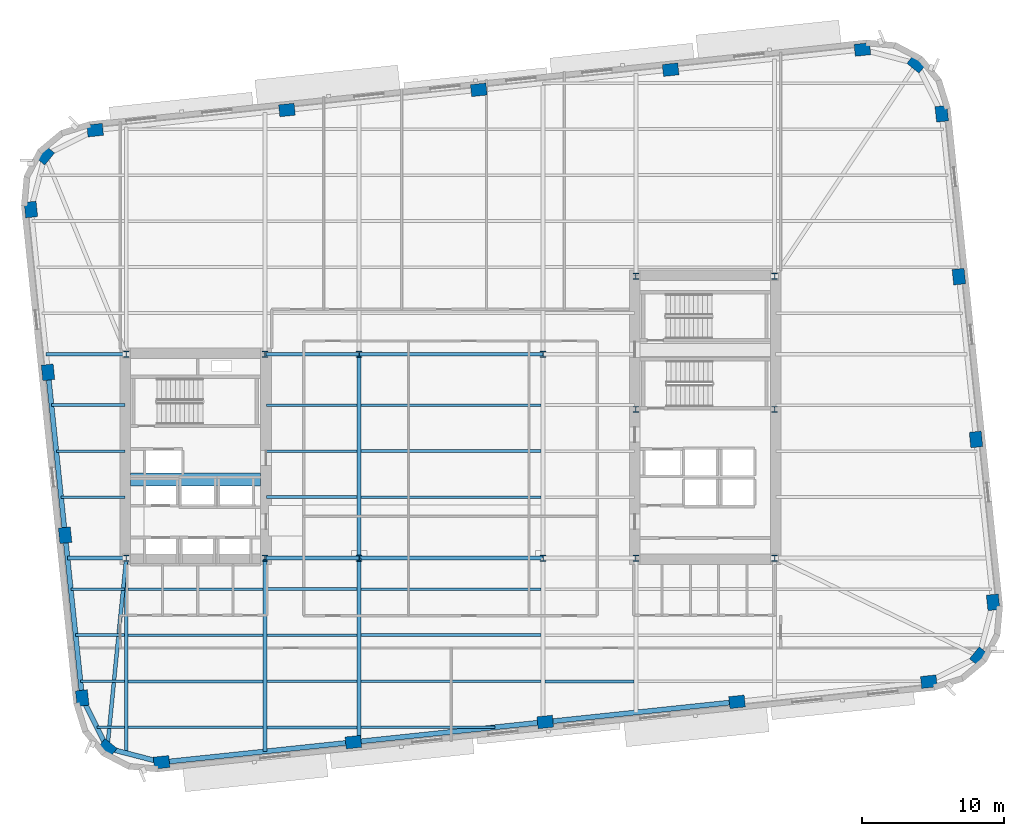
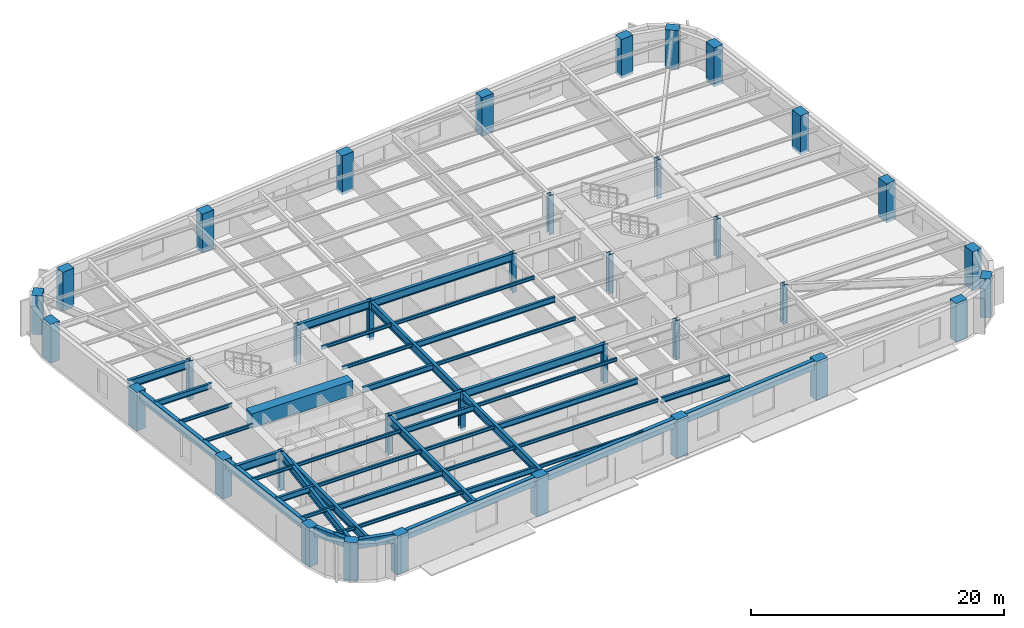
# One storey, part 1 of 15: 45 beams, 36 columns.
"""IFC4 building model written with IfcOpenShell, lengths in metres."""

from ifc_helpers import new_model, si_unit, direction, frame, origin, origin_2d, place, context, subcontext, project, spatial, rectangle, hollow_rectangle, i_section, extrude, material, material_profile, profile_set, type_object, element, save


model = new_model("IFC4")

# Units and contexts
model_context = context("Model", 3, precision=1e-05, world=origin(), true_north=direction((0.0, 1.0)))
body_context = subcontext(model_context, "Body", "Model", "MODEL_VIEW")
ifc_project = project(units=[si_unit("LENGTHUNIT", "METRE"), si_unit("AREAUNIT", "SQUARE_METRE"), si_unit("VOLUMEUNIT", "CUBIC_METRE"), si_unit("PLANEANGLEUNIT", "RADIAN"), si_unit("MASSUNIT", "GRAM", prefix="KILO")], contexts=[model_context])

# Site, building, storey
site_placement = place(None, origin())
site = spatial("IfcSite", under=ifc_project, at=site_placement, CompositionType="ELEMENT")
building_placement = place(site_placement, origin())
building = spatial("IfcBuilding", under=site, at=building_placement, Name="Kolvaren Arena Tower", CompositionType="ELEMENT")
storey_placement = place(building_placement, frame((0.0, 0.0, 142.0)))
storey = spatial("IfcBuildingStorey", under=building, at=storey_placement, Name="L33", CompositionType="ELEMENT", Elevation=142.0)

# Columns
ifc_material_1 = material(Name="Precast concrete C70/85", Category="concrete")
ifc_material_profile_1 = material_profile(ifc_material_1, rectangle(XDim=1.10009765625, YDim=0.85009765625, at=origin_2d()), Name="RC-1100x850")
ifc_profile_set_1 = profile_set([ifc_material_profile_1], Name="Precast concrete C70/85")
column_type_1 = type_object("IfcColumnType", Name="EXCOL-Z2", PredefinedType="COLUMN", material=ifc_profile_set_1)
for number, where, z_axis, x_axis, name in (
    (1, (17.0458984375, 5.024658203125, -0.27001953125), (0.0, 0.0, 1.0), (0.994521895368, 0.104528463268, 0.0), "Exoskeleton Perimeter Column 01 (L33)"),
    (2, (30.59619140625, 6.44873046875, -0.27001953125), (0.0, 0.0, 1.0), (0.994521895368, 0.104528463268, 0.0), "Exoskeleton Perimeter Column 02 (L33)"),
    (3, (44.146728515625, 7.873046875, -0.27001953125), (0.0, 0.0, 1.0), (0.994521895368, 0.104528463268, 0.0), "Exoskeleton Perimeter Column 03 (L33)"),
    (4, (57.697021484375, 9.297119140625, -0.27001953125), (0.0, 0.0, 1.0), (0.994521895368, 0.104528463268, 0.0), "Exoskeleton Perimeter Column 04 (L33)"),
    (5, (71.247314453125, 10.721435546875, -0.27001953125), (0.0, 0.0, 1.0), (0.994521895368, 0.104528463268, 0.0), "Exoskeleton Perimeter Column 05 (L33)"),
    (6, (74.790283203125, 12.49267578125, -0.27001953125), (0.0, 0.0, 1.0), (0.62932039105, 0.777145961457, 0.0), "Exoskeleton Perimeter Column 06 (L33)"),
    (7, (75.786376953125, 16.326416015625, -0.27001953125), (0.0, 0.0, 1.0), (-0.104528463268, 0.994521895368, 0.0), "Exoskeleton Perimeter Column 07 (L33)"),
    (8, (74.577392578125, 27.829833984375, -0.27001953125), (0.0, 0.0, 1.0), (-0.104528463268, 0.994521895368, 0.0), "Exoskeleton Perimeter Column 08 (L33)"),
    (9, (73.368408203125, 39.3330078125, -0.27001953125), (0.0, 0.0, 1.0), (-0.104528463268, 0.994521895368, 0.0), "Exoskeleton Perimeter Column 09 (L33)"),
    (10, (72.1591796875, 50.83642578125, -0.27001953125), (0.0, 0.0, 1.0), (-0.104528463268, 0.994521895368, 0.0), "Exoskeleton Perimeter Column 10 (L33)"),
    (11, (70.387939453125, 54.37939453125, -0.27001953125), (0.0, 0.0, 1.0), (-0.777145961457, 0.62932039105, 0.0), "Exoskeleton Perimeter Column 11 (L33)"),
    (12, (66.55419921875, 55.37548828125, -0.27001953125), (0.0, 0.0, 1.0), (0.994521895368, 0.104528463268, 0.0), "Exoskeleton Perimeter Column 12 (L33)"),
    (13, (53.003662109375, 53.951171875, -0.27001953125), (0.0, 0.0, 1.0), (0.994521895368, 0.104528463268, 0.0), "Exoskeleton Perimeter Column 13 (L33)"),
    (14, (39.453369140625, 52.527099609375, -0.27001953125), (0.0, 0.0, 1.0), (0.994521895368, 0.104528463268, 0.0), "Exoskeleton Perimeter Column 14 (L33)"),
    (15, (25.903076171875, 51.102783203125, -0.27001953125), (0.0, 0.0, 1.0), (0.994521895368, 0.104528463268, 0.0), "Exoskeleton Perimeter Column 15 (L33)"),
    (16, (12.3525390625, 49.6787109375, -0.27001953125), (0.0, 0.0, 1.0), (0.994521895368, 0.104528463268, 0.0), "Exoskeleton Perimeter Column 16 (L33)"),
    (17, (8.8095703125, 47.9072265625, -0.27001953125), (0.0, 0.0, 1.0), (0.62932039105, 0.777145961457, 0.0), "Exoskeleton Perimeter Column 17 (L33)"),
    (18, (7.813720703125, 44.073486328125, -0.27001953125), (0.0, 0.0, 1.0), (-0.104528463268, 0.994521895368, 0.0), "Exoskeleton Perimeter Column 18 (L33)"),
    (19, (9.022705078125, 32.5703125, -0.27001953125), (0.0, 0.0, 1.0), (-0.104528463268, 0.994521895368, 0.0), "Exoskeleton Perimeter Column 19 (L33)"),
    (20, (10.231689453125, 21.06689453125, -0.27001953125), (0.0, 0.0, 1.0), (-0.104528463268, 0.994521895368, 0.0), "Exoskeleton Perimeter Column 20 (L33)"),
    (21, (11.44091796875, 9.5634765625, -0.27001953125), (0.0, 0.0, 1.0), (-0.104528463268, 0.994521895368, 0.0), "Exoskeleton Perimeter Column 21 (L33)"),
    (22, (13.212158203125, 6.0205078125, -0.27001953125), (0.0, 0.0, 1.0), (-0.777145961457, 0.62932039105, 0.0), "Exoskeleton Perimeter Column 22 (L33)"),
):
    element("IfcColumn", number, at=place(storey_placement, frame(where, z_axis=z_axis, x_axis=x_axis)), inside=storey, type_object=column_type_1, Name=name, PredefinedType="COLUMN", context=body_context, shape_type="SweptSolid", body=[
        extrude(rectangle(XDim=1.10009765625, YDim=0.85009765625, at=origin_2d()), origin(), (0.0, 0.0, 1.0), 3.75),
    ])
ifc_material_2 = material(Name="Steel ASTM A913 Grade 65", Category="steel")
ifc_material_profile_2 = material_profile(ifc_material_2, i_section(OverallWidth=0.416015625, OverallDepth=0.446044921875, WebThickness=0.0390625, FlangeThickness=0.062744140625, FilletRadius=0.02001953125, at=origin_2d()), Name="W360x509")
ifc_profile_set_2 = profile_set([ifc_material_profile_2], Name="Steel ASTM A913 Grade 65")
column_type_2 = type_object("IfcColumnType", Name="SCOL-Z2", PredefinedType="COLUMN", material=ifc_profile_set_2)
for number, where, z_axis, x_axis, name in (
    (23, (14.550048828125, 19.449951171875, -0.27001953125), (0.0, 0.0, 1.0), (1.0, 0.0, 0.0), "Core Boundary Column WC-SW (L33)"),
    (24, (24.35009765625, 19.449951171875, -0.27001953125), (0.0, 0.0, 1.0), (1.0, 0.0, 0.0), "Core Boundary Column WC-SE (L33)"),
    (25, (14.550048828125, 33.85009765625, -0.27001953125), (0.0, 0.0, 1.0), (1.0, 0.0, 0.0), "Core Boundary Column WC-NW (L33)"),
    (26, (24.35009765625, 33.85009765625, -0.27001953125), (0.0, 0.0, 1.0), (1.0, 0.0, 0.0), "Core Boundary Column WC-NE (L33)"),
    (27, (50.550048828125, 19.449951171875, -0.27001953125), (0.0, 0.0, 1.0), (1.0, 0.0, 0.0), "Core Boundary Column EC-SW (L33)"),
    (28, (60.35009765625, 19.449951171875, -0.27001953125), (0.0, 0.0, 1.0), (1.0, 0.0, 0.0), "Core Boundary Column EC-SE (L33)"),
    (29, (50.550048828125, 29.949951171875, -0.27001953125), (0.0, 0.0, 1.0), (1.0, 0.0, 0.0), "Core Boundary Column EC-MW (L33)"),
    (30, (60.35009765625, 29.949951171875, -0.27001953125), (0.0, 0.0, 1.0), (1.0, 0.0, 0.0), "Core Boundary Column EC-ME (L33)"),
    (31, (50.550048828125, 39.35009765625, -0.27001953125), (0.0, 0.0, 1.0), (1.0, 0.0, 0.0), "Core Boundary Column EC-NW (L33)"),
    (32, (60.35009765625, 39.35009765625, -0.27001953125), (0.0, 0.0, 1.0), (1.0, 0.0, 0.0), "Core Boundary Column EC-NE (L33)"),
    (33, (31.0, 19.449951171875, -0.27001953125), (0.0, 0.0, 1.0), (1.0, 0.0, 0.0), "Interior Gravity Column TC-SW (L33)"),
    (34, (44.0, 19.449951171875, -0.27001953125), (0.0, 0.0, 1.0), (1.0, 0.0, 0.0), "Interior Gravity Column TC-SE (L33)"),
    (35, (31.0, 33.85009765625, -0.27001953125), (0.0, 0.0, 1.0), (1.0, 0.0, 0.0), "Interior Gravity Column TC-NW (L33)"),
    (36, (44.0, 33.85009765625, -0.27001953125), (0.0, 0.0, 1.0), (1.0, 0.0, 0.0), "Interior Gravity Column TC-NE (L33)"),
):
    element("IfcColumn", number, at=place(storey_placement, frame(where, z_axis=z_axis, x_axis=x_axis)), inside=storey, type_object=column_type_2, Name=name, PredefinedType="COLUMN", context=body_context, shape_type="SweptSolid", body=[
        extrude(i_section(OverallWidth=0.416015625, OverallDepth=0.446044921875, WebThickness=0.0390625, FlangeThickness=0.062744140625, FilletRadius=0.02001953125, at=origin_2d()), origin(), (0.0, 0.0, 1.0), 3.75),
    ])

# Beams
ifc_material_3 = material(Name="Steel CSA G40.21 350W", Category="steel")
ifc_material_profile_3 = material_profile(ifc_material_3, i_section(OverallWidth=0.2119140625, OverallDepth=0.54296875, WebThickness=0.01318359375, FlangeThickness=0.0244140625, FilletRadius=0.013916015625, at=origin_2d()), Name="W530x150")
ifc_profile_set_3 = profile_set([ifc_material_profile_3], Name="Steel CSA G40.21 350W")
beam_type_1 = type_object("IfcBeamType", Name="BEAM-F1", PredefinedType="BEAM", material=ifc_profile_set_3)
beam_1_placement = place(storey_placement, frame((24.485107421875, 7.5, 3.20849609375), z_axis=(1.0, 0.0, 0.0), x_axis=(0.0, 1.0, 0.0)))
element("IfcBeam", 37, at=beam_1_placement, inside=storey, type_object=beam_type_1, Name="Composite Floor Beam (L33)", PredefinedType="BEAM", context=body_context, shape_type="SweptSolid", body=[
    extrude(i_section(OverallWidth=0.2119140625, OverallDepth=0.54296875, WebThickness=0.01318359375, FlangeThickness=0.0244140625, FilletRadius=0.013916015625, at=origin_2d()), origin(), (0.0, 0.0, 1.0), 6.3798828125),
])
beam_2_placement = place(storey_placement, frame((14.68505859375, 10.75, 3.20849609375), z_axis=(1.0, 0.0, 0.0), x_axis=(0.0, 1.0, 0.0)))
element("IfcBeam", 38, at=beam_2_placement, inside=storey, type_object=beam_type_1, Name="Composite Floor Beam (L33)", PredefinedType="BEAM", context=body_context, shape_type="SweptSolid", body=[
    extrude(i_section(OverallWidth=0.2119140625, OverallDepth=0.54296875, WebThickness=0.01318359375, FlangeThickness=0.0244140625, FilletRadius=0.013916015625, at=origin_2d()), origin(), (0.0, 0.0, 1.0), 9.530029296875),
])
beam_3_placement = place(storey_placement, frame((44.135009765625, 10.75, 3.20849609375), z_axis=(1.0, 0.0, 0.0), x_axis=(0.0, 1.0, 0.0)))
element("IfcBeam", 39, at=beam_3_placement, inside=storey, type_object=beam_type_1, Name="Composite Floor Beam (L33)", PredefinedType="BEAM", context=body_context, shape_type="SweptSolid", body=[
    extrude(i_section(OverallWidth=0.2119140625, OverallDepth=0.54296875, WebThickness=0.01318359375, FlangeThickness=0.0244140625, FilletRadius=0.013916015625, at=origin_2d()), origin(), (0.0, 0.0, 1.0), 6.280029296875),
])
beam_4_placement = place(storey_placement, frame((10.974609375, 14.0, 3.20849609375), z_axis=(1.0, 0.0, 0.0), x_axis=(0.0, 1.0, 0.0)))
element("IfcBeam", 40, at=beam_4_placement, inside=storey, type_object=beam_type_1, Name="Composite Floor Beam (L33)", PredefinedType="BEAM", context=body_context, shape_type="SweptSolid", body=[
    extrude(i_section(OverallWidth=0.2119140625, OverallDepth=0.54296875, WebThickness=0.01318359375, FlangeThickness=0.0244140625, FilletRadius=0.013916015625, at=origin_2d()), origin(), (0.0, 0.0, 1.0), 3.4404296875),
])
beam_5_placement = place(storey_placement, frame((31.135009765625, 14.0, 3.20849609375), z_axis=(1.0, 0.0, 0.0), x_axis=(0.0, 1.0, 0.0)))
element("IfcBeam", 41, at=beam_5_placement, inside=storey, type_object=beam_type_1, Name="Composite Floor Beam (L33)", PredefinedType="BEAM", context=body_context, shape_type="SweptSolid", body=[
    extrude(i_section(OverallWidth=0.2119140625, OverallDepth=0.54296875, WebThickness=0.01318359375, FlangeThickness=0.0244140625, FilletRadius=0.013916015625, at=origin_2d()), origin(), (0.0, 0.0, 1.0), 12.72998046875),
])
beam_6_placement = place(storey_placement, frame((24.485107421875, 17.25, 3.20849609375), z_axis=(1.0, 0.0, 0.0), x_axis=(0.0, 1.0, 0.0)))
element("IfcBeam", 42, at=beam_6_placement, inside=storey, type_object=beam_type_1, Name="Composite Floor Beam (L33)", PredefinedType="BEAM", context=body_context, shape_type="SweptSolid", body=[
    extrude(i_section(OverallWidth=0.2119140625, OverallDepth=0.54296875, WebThickness=0.01318359375, FlangeThickness=0.0244140625, FilletRadius=0.013916015625, at=origin_2d()), origin(), (0.0, 0.0, 1.0), 6.3798828125),
])
beam_7_placement = place(storey_placement, frame((24.445068359375, 23.75, 3.20849609375), z_axis=(1.0, 0.0, 0.0), x_axis=(0.0, 1.0, 0.0)))
element("IfcBeam", 43, at=beam_7_placement, inside=storey, type_object=beam_type_1, Name="Composite Floor Beam (L33)", PredefinedType="BEAM", context=body_context, shape_type="SweptSolid", body=[
    extrude(i_section(OverallWidth=0.2119140625, OverallDepth=0.54296875, WebThickness=0.01318359375, FlangeThickness=0.0244140625, FilletRadius=0.013916015625, at=origin_2d()), origin(), (0.0, 0.0, 1.0), 6.419921875),
])
beam_8_placement = place(storey_placement, frame((31.135009765625, 27.0, 3.20849609375), z_axis=(1.0, 0.0, 0.0), x_axis=(0.0, 1.0, 0.0)))
element("IfcBeam", 44, at=beam_8_placement, inside=storey, type_object=beam_type_1, Name="Composite Floor Beam (L33)", PredefinedType="BEAM", context=body_context, shape_type="SweptSolid", body=[
    extrude(i_section(OverallWidth=0.2119140625, OverallDepth=0.54296875, WebThickness=0.01318359375, FlangeThickness=0.0244140625, FilletRadius=0.013916015625, at=origin_2d()), origin(), (0.0, 0.0, 1.0), 12.72998046875),
])
beam_9_placement = place(storey_placement, frame((9.2666015625, 30.25, 3.20849609375), z_axis=(1.0, 0.0, 0.0), x_axis=(0.0, 1.0, 0.0)))
element("IfcBeam", 45, at=beam_9_placement, inside=storey, type_object=beam_type_1, Name="Composite Floor Beam (L33)", PredefinedType="BEAM", context=body_context, shape_type="SweptSolid", body=[
    extrude(i_section(OverallWidth=0.2119140625, OverallDepth=0.54296875, WebThickness=0.01318359375, FlangeThickness=0.0244140625, FilletRadius=0.013916015625, at=origin_2d()), origin(), (0.0, 0.0, 1.0), 5.1884765625),
])
ifc_material_4 = material(Name="Concrete 75 MPa", Category="concrete")
ifc_material_profile_4 = material_profile(ifc_material_4, rectangle(XDim=0.89990234375, YDim=1.39990234375, at=origin_2d()), Name="RC-900x1400")
ifc_profile_set_4 = profile_set([ifc_material_profile_4], Name="Concrete 75 MPa")
beam_type_2 = type_object("IfcBeamType", Name="CB-CORE-1", PredefinedType="BEAM", material=ifc_profile_set_4)
beam_10_placement = place(storey_placement, frame((14.85009765625, 25.0, 3.050048828125), z_axis=(1.0, 0.0, 0.0), x_axis=(0.0, 1.0, 0.0)))
element("IfcBeam", 46, at=beam_10_placement, inside=storey, type_object=beam_type_2, Name="West Core Coupling Beam (L33)", PredefinedType="BEAM", context=body_context, shape_type="SweptSolid", body=[
    extrude(rectangle(XDim=0.89990234375, YDim=1.39990234375, at=origin_2d()), origin(), (0.0, 0.0, 1.0), 9.199951171875),
])
ifc_material_profile_5 = material_profile(ifc_material_3, i_section(OverallWidth=0.27001953125, OverallDepth=0.77294921875, WebThickness=0.019287109375, FlangeThickness=0.033447265625, FilletRadius=0.01806640625, at=origin_2d()), Name="W760x257")
ifc_profile_set_5 = profile_set([ifc_material_profile_5], Name="Steel CSA G40.21 350W")
beam_type_3 = type_object("IfcBeamType", Name="GIRD-T1", PredefinedType="BEAM", material=ifc_profile_set_5)
beam_11_placement = place(storey_placement, frame((13.212158203125, 6.0205078125, 3.093505859375), z_axis=(0.099132957575, 0.995074196592, 0.0), x_axis=(-0.995074196592, 0.099132957575, 0.0)))
element("IfcBeam", 47, at=beam_11_placement, inside=storey, type_object=beam_type_3, Name="Corner Diagonal Tie Girder (L33)", PredefinedType="BEAM", context=body_context, shape_type="SweptSolid", body=[
    extrude(i_section(OverallWidth=0.27001953125, OverallDepth=0.77294921875, WebThickness=0.019287109375, FlangeThickness=0.033447265625, FilletRadius=0.01806640625, at=origin_2d()), origin(), (0.0, 0.0, 1.0), 13.495849609375),
])
beam_12_placement = place(storey_placement, frame((10.401611328125, 19.449951171875, 3.093505859375), z_axis=(1.0, 0.0, 0.0), x_axis=(0.0, 1.0, 0.0)))
element("IfcBeam", 48, at=beam_12_placement, inside=storey, type_object=beam_type_3, Name="Primary Floor Girder (L33)", PredefinedType="BEAM", context=body_context, shape_type="SweptSolid", body=[
    extrude(i_section(OverallWidth=0.27001953125, OverallDepth=0.77294921875, WebThickness=0.019287109375, FlangeThickness=0.033447265625, FilletRadius=0.01806640625, at=origin_2d()), origin(), (0.0, 0.0, 1.0), 4.093505859375),
])
beam_13_placement = place(storey_placement, frame((24.405029296875, 19.449951171875, 3.093505859375), z_axis=(1.0, 0.0, 0.0), x_axis=(0.0, 1.0, 0.0)))
element("IfcBeam", 49, at=beam_13_placement, inside=storey, type_object=beam_type_3, Name="Primary Floor Girder (L33)", PredefinedType="BEAM", context=body_context, shape_type="SweptSolid", body=[
    extrude(i_section(OverallWidth=0.27001953125, OverallDepth=0.77294921875, WebThickness=0.019287109375, FlangeThickness=0.033447265625, FilletRadius=0.01806640625, at=origin_2d()), origin(), (0.0, 0.0, 1.0), 6.594970703125),
])
beam_14_placement = place(storey_placement, frame((31.0, 19.449951171875, 3.093505859375), z_axis=(1.0, 0.0, 0.0), x_axis=(0.0, 1.0, 0.0)))
element("IfcBeam", 50, at=beam_14_placement, inside=storey, type_object=beam_type_3, Name="Primary Floor Girder (L33)", PredefinedType="BEAM", context=body_context, shape_type="SweptSolid", body=[
    extrude(i_section(OverallWidth=0.27001953125, OverallDepth=0.77294921875, WebThickness=0.019287109375, FlangeThickness=0.033447265625, FilletRadius=0.01806640625, at=origin_2d()), origin(), (0.0, 0.0, 1.0), 13.0),
])
beam_15_placement = place(storey_placement, frame((8.88818359375, 33.85009765625, 3.093505859375), z_axis=(1.0, 0.0, 0.0), x_axis=(0.0, 1.0, 0.0)))
element("IfcBeam", 51, at=beam_15_placement, inside=storey, type_object=beam_type_3, Name="Primary Floor Girder (L33)", PredefinedType="BEAM", context=body_context, shape_type="SweptSolid", body=[
    extrude(i_section(OverallWidth=0.27001953125, OverallDepth=0.77294921875, WebThickness=0.019287109375, FlangeThickness=0.033447265625, FilletRadius=0.01806640625, at=origin_2d()), origin(), (0.0, 0.0, 1.0), 5.60693359375),
])
beam_16_placement = place(storey_placement, frame((24.405029296875, 33.85009765625, 3.093505859375), z_axis=(1.0, 0.0, 0.0), x_axis=(0.0, 1.0, 0.0)))
element("IfcBeam", 52, at=beam_16_placement, inside=storey, type_object=beam_type_3, Name="Primary Floor Girder (L33)", PredefinedType="BEAM", context=body_context, shape_type="SweptSolid", body=[
    extrude(i_section(OverallWidth=0.27001953125, OverallDepth=0.77294921875, WebThickness=0.019287109375, FlangeThickness=0.033447265625, FilletRadius=0.01806640625, at=origin_2d()), origin(), (0.0, 0.0, 1.0), 6.594970703125),
])
beam_17_placement = place(storey_placement, frame((31.0, 33.85009765625, 3.093505859375), z_axis=(1.0, 0.0, 0.0), x_axis=(0.0, 1.0, 0.0)))
element("IfcBeam", 53, at=beam_17_placement, inside=storey, type_object=beam_type_3, Name="Primary Floor Girder (L33)", PredefinedType="BEAM", context=body_context, shape_type="SweptSolid", body=[
    extrude(i_section(OverallWidth=0.27001953125, OverallDepth=0.77294921875, WebThickness=0.019287109375, FlangeThickness=0.033447265625, FilletRadius=0.01806640625, at=origin_2d()), origin(), (0.0, 0.0, 1.0), 13.0),
])
beam_18_placement = place(storey_placement, frame((14.550048828125, 5.673095703125, 3.093505859375), z_axis=(0.0, 1.0, 0.0), x_axis=(-1.0, 0.0, 0.0)))
element("IfcBeam", 54, at=beam_18_placement, inside=storey, type_object=beam_type_3, Name="Primary Floor Girder (L33)", PredefinedType="BEAM", context=body_context, shape_type="SweptSolid", body=[
    extrude(i_section(OverallWidth=0.27001953125, OverallDepth=0.77294921875, WebThickness=0.019287109375, FlangeThickness=0.033447265625, FilletRadius=0.01806640625, at=origin_2d()), origin(), (0.0, 0.0, 1.0), 13.721923828125),
])
beam_19_placement = place(storey_placement, frame((24.35009765625, 5.792236328125, 3.093505859375), z_axis=(0.0, 1.0, 0.0), x_axis=(-1.0, 0.0, 0.0)))
element("IfcBeam", 55, at=beam_19_placement, inside=storey, type_object=beam_type_3, Name="Primary Floor Girder (L33)", PredefinedType="BEAM", context=body_context, shape_type="SweptSolid", body=[
    extrude(i_section(OverallWidth=0.27001953125, OverallDepth=0.77294921875, WebThickness=0.019287109375, FlangeThickness=0.033447265625, FilletRadius=0.01806640625, at=origin_2d()), origin(), (0.0, 0.0, 1.0), 13.602783203125),
])
beam_20_placement = place(storey_placement, frame((31.0, 6.4912109375, 3.093505859375), z_axis=(0.0, 1.0, 0.0), x_axis=(-1.0, 0.0, 0.0)))
element("IfcBeam", 56, at=beam_20_placement, inside=storey, type_object=beam_type_3, Name="Primary Floor Girder (L33)", PredefinedType="BEAM", context=body_context, shape_type="SweptSolid", body=[
    extrude(i_section(OverallWidth=0.27001953125, OverallDepth=0.77294921875, WebThickness=0.019287109375, FlangeThickness=0.033447265625, FilletRadius=0.01806640625, at=origin_2d()), origin(), (0.0, 0.0, 1.0), 12.958740234375),
])
beam_21_placement = place(storey_placement, frame((31.0, 19.449951171875, 3.093505859375), z_axis=(0.0, 1.0, 0.0), x_axis=(-1.0, 0.0, 0.0)))
element("IfcBeam", 57, at=beam_21_placement, inside=storey, type_object=beam_type_3, Name="Primary Floor Girder (L33)", PredefinedType="BEAM", context=body_context, shape_type="SweptSolid", body=[
    extrude(i_section(OverallWidth=0.27001953125, OverallDepth=0.77294921875, WebThickness=0.019287109375, FlangeThickness=0.033447265625, FilletRadius=0.01806640625, at=origin_2d()), origin(), (0.0, 0.0, 1.0), 14.400146484375),
])
ifc_material_profile_6 = material_profile(ifc_material_3, i_section(OverallWidth=0.1669921875, OverallDepth=0.31689453125, WebThickness=0.007568359375, FlangeThickness=0.01318359375, FilletRadius=0.010009765625, at=origin_2d()), Name="W310x52")
ifc_profile_set_6 = profile_set([ifc_material_profile_6], Name="Steel CSA G40.21 350W")
beam_type_4 = type_object("IfcBeamType", Name="JOIST-02", PredefinedType="JOIST", material=ifc_profile_set_6)
beam_22_placement = place(storey_placement, frame((12.472412109375, 7.5, 3.321533203125), z_axis=(1.0, 0.0, 0.0), x_axis=(0.0, 1.0, 0.0)))
element("IfcBeam", 58, at=beam_22_placement, inside=storey, type_object=beam_type_4, Name="Composite Floor Joist (L33)", PredefinedType="JOIST", context=body_context, shape_type="SweptSolid", body=[
    extrude(i_section(OverallWidth=0.1669921875, OverallDepth=0.31689453125, WebThickness=0.007568359375, FlangeThickness=0.01318359375, FilletRadius=0.010009765625, at=origin_2d()), origin(), (0.0, 0.0, 1.0), 1.942626953125),
])
beam_23_placement = place(storey_placement, frame((14.68505859375, 7.5, 3.321533203125), z_axis=(1.0, 0.0, 0.0), x_axis=(0.0, 1.0, 0.0)))
element("IfcBeam", 59, at=beam_23_placement, inside=storey, type_object=beam_type_4, Name="Composite Floor Joist (L33)", PredefinedType="JOIST", context=body_context, shape_type="SweptSolid", body=[
    extrude(i_section(OverallWidth=0.1669921875, OverallDepth=0.31689453125, WebThickness=0.007568359375, FlangeThickness=0.01318359375, FilletRadius=0.010009765625, at=origin_2d()), origin(), (0.0, 0.0, 1.0), 9.530029296875),
])
beam_24_placement = place(storey_placement, frame((31.135009765625, 7.5, 3.321533203125), z_axis=(1.0, 0.0, 0.0), x_axis=(0.0, 1.0, 0.0)))
element("IfcBeam", 60, at=beam_24_placement, inside=storey, type_object=beam_type_4, Name="Composite Floor Joist (L33)", PredefinedType="JOIST", context=body_context, shape_type="SweptSolid", body=[
    extrude(i_section(OverallWidth=0.1669921875, OverallDepth=0.31689453125, WebThickness=0.007568359375, FlangeThickness=0.01318359375, FilletRadius=0.010009765625, at=origin_2d()), origin(), (0.0, 0.0, 1.0), 9.462890625),
])
beam_25_placement = place(storey_placement, frame((11.316162109375, 10.75, 3.321533203125), z_axis=(1.0, 0.0, 0.0), x_axis=(0.0, 1.0, 0.0)))
element("IfcBeam", 61, at=beam_25_placement, inside=storey, type_object=beam_type_4, Name="Composite Floor Joist (L33)", PredefinedType="JOIST", context=body_context, shape_type="SweptSolid", body=[
    extrude(i_section(OverallWidth=0.1669921875, OverallDepth=0.31689453125, WebThickness=0.007568359375, FlangeThickness=0.01318359375, FilletRadius=0.010009765625, at=origin_2d()), origin(), (0.0, 0.0, 1.0), 3.098876953125),
])
beam_26_placement = place(storey_placement, frame((24.485107421875, 10.75, 3.321533203125), z_axis=(1.0, 0.0, 0.0), x_axis=(0.0, 1.0, 0.0)))
element("IfcBeam", 62, at=beam_26_placement, inside=storey, type_object=beam_type_4, Name="Composite Floor Joist (L33)", PredefinedType="JOIST", context=body_context, shape_type="SweptSolid", body=[
    extrude(i_section(OverallWidth=0.1669921875, OverallDepth=0.31689453125, WebThickness=0.007568359375, FlangeThickness=0.01318359375, FilletRadius=0.010009765625, at=origin_2d()), origin(), (0.0, 0.0, 1.0), 6.3798828125),
])
beam_27_placement = place(storey_placement, frame((31.135009765625, 10.75, 3.321533203125), z_axis=(1.0, 0.0, 0.0), x_axis=(0.0, 1.0, 0.0)))
element("IfcBeam", 63, at=beam_27_placement, inside=storey, type_object=beam_type_4, Name="Composite Floor Joist (L33)", PredefinedType="JOIST", context=body_context, shape_type="SweptSolid", body=[
    extrude(i_section(OverallWidth=0.1669921875, OverallDepth=0.31689453125, WebThickness=0.007568359375, FlangeThickness=0.01318359375, FilletRadius=0.010009765625, at=origin_2d()), origin(), (0.0, 0.0, 1.0), 12.72998046875),
])
beam_28_placement = place(storey_placement, frame((14.68505859375, 14.0, 3.321533203125), z_axis=(1.0, 0.0, 0.0), x_axis=(0.0, 1.0, 0.0)))
element("IfcBeam", 64, at=beam_28_placement, inside=storey, type_object=beam_type_4, Name="Composite Floor Joist (L33)", PredefinedType="JOIST", context=body_context, shape_type="SweptSolid", body=[
    extrude(i_section(OverallWidth=0.1669921875, OverallDepth=0.31689453125, WebThickness=0.007568359375, FlangeThickness=0.01318359375, FilletRadius=0.010009765625, at=origin_2d()), origin(), (0.0, 0.0, 1.0), 9.530029296875),
])
beam_29_placement = place(storey_placement, frame((24.485107421875, 14.0, 3.321533203125), z_axis=(1.0, 0.0, 0.0), x_axis=(0.0, 1.0, 0.0)))
element("IfcBeam", 65, at=beam_29_placement, inside=storey, type_object=beam_type_4, Name="Composite Floor Joist (L33)", PredefinedType="JOIST", context=body_context, shape_type="SweptSolid", body=[
    extrude(i_section(OverallWidth=0.1669921875, OverallDepth=0.31689453125, WebThickness=0.007568359375, FlangeThickness=0.01318359375, FilletRadius=0.010009765625, at=origin_2d()), origin(), (0.0, 0.0, 1.0), 6.3798828125),
])
beam_30_placement = place(storey_placement, frame((10.6328125, 17.25, 3.321533203125), z_axis=(1.0, 0.0, 0.0), x_axis=(0.0, 1.0, 0.0)))
element("IfcBeam", 66, at=beam_30_placement, inside=storey, type_object=beam_type_4, Name="Composite Floor Joist (L33)", PredefinedType="JOIST", context=body_context, shape_type="SweptSolid", body=[
    extrude(i_section(OverallWidth=0.1669921875, OverallDepth=0.31689453125, WebThickness=0.007568359375, FlangeThickness=0.01318359375, FilletRadius=0.010009765625, at=origin_2d()), origin(), (0.0, 0.0, 1.0), 3.7822265625),
])
beam_31_placement = place(storey_placement, frame((14.68505859375, 17.25, 3.321533203125), z_axis=(1.0, 0.0, 0.0), x_axis=(0.0, 1.0, 0.0)))
element("IfcBeam", 67, at=beam_31_placement, inside=storey, type_object=beam_type_4, Name="Composite Floor Joist (L33)", PredefinedType="JOIST", context=body_context, shape_type="SweptSolid", body=[
    extrude(i_section(OverallWidth=0.1669921875, OverallDepth=0.31689453125, WebThickness=0.007568359375, FlangeThickness=0.01318359375, FilletRadius=0.010009765625, at=origin_2d()), origin(), (0.0, 0.0, 1.0), 9.530029296875),
])
beam_32_placement = place(storey_placement, frame((31.135009765625, 17.25, 3.321533203125), z_axis=(1.0, 0.0, 0.0), x_axis=(0.0, 1.0, 0.0)))
element("IfcBeam", 68, at=beam_32_placement, inside=storey, type_object=beam_type_4, Name="Composite Floor Joist (L33)", PredefinedType="JOIST", context=body_context, shape_type="SweptSolid", body=[
    extrude(i_section(OverallWidth=0.1669921875, OverallDepth=0.31689453125, WebThickness=0.007568359375, FlangeThickness=0.01318359375, FilletRadius=0.010009765625, at=origin_2d()), origin(), (0.0, 0.0, 1.0), 12.72998046875),
])
beam_33_placement = place(storey_placement, frame((9.94970703125, 23.75, 3.321533203125), z_axis=(1.0, 0.0, 0.0), x_axis=(0.0, 1.0, 0.0)))
element("IfcBeam", 69, at=beam_33_placement, inside=storey, type_object=beam_type_4, Name="Composite Floor Joist (L33)", PredefinedType="JOIST", context=body_context, shape_type="SweptSolid", body=[
    extrude(i_section(OverallWidth=0.1669921875, OverallDepth=0.31689453125, WebThickness=0.007568359375, FlangeThickness=0.01318359375, FilletRadius=0.010009765625, at=origin_2d()), origin(), (0.0, 0.0, 1.0), 4.50537109375),
])
beam_34_placement = place(storey_placement, frame((31.135009765625, 23.75, 3.321533203125), z_axis=(1.0, 0.0, 0.0), x_axis=(0.0, 1.0, 0.0)))
element("IfcBeam", 70, at=beam_34_placement, inside=storey, type_object=beam_type_4, Name="Composite Floor Joist (L33)", PredefinedType="JOIST", context=body_context, shape_type="SweptSolid", body=[
    extrude(i_section(OverallWidth=0.1669921875, OverallDepth=0.31689453125, WebThickness=0.007568359375, FlangeThickness=0.01318359375, FilletRadius=0.010009765625, at=origin_2d()), origin(), (0.0, 0.0, 1.0), 12.72998046875),
])
beam_35_placement = place(storey_placement, frame((9.608154296875, 27.0, 3.321533203125), z_axis=(1.0, 0.0, 0.0), x_axis=(0.0, 1.0, 0.0)))
element("IfcBeam", 71, at=beam_35_placement, inside=storey, type_object=beam_type_4, Name="Composite Floor Joist (L33)", PredefinedType="JOIST", context=body_context, shape_type="SweptSolid", body=[
    extrude(i_section(OverallWidth=0.1669921875, OverallDepth=0.31689453125, WebThickness=0.007568359375, FlangeThickness=0.01318359375, FilletRadius=0.010009765625, at=origin_2d()), origin(), (0.0, 0.0, 1.0), 4.846923828125),
])
for number, where, z_axis, x_axis, name in (
    (72, (24.445068359375, 27.0, 3.321533203125), (1.0, 0.0, 0.0), (0.0, 1.0, 0.0), "Composite Floor Joist (L33)"),
    (73, (24.445068359375, 30.25, 3.321533203125), (1.0, 0.0, 0.0), (0.0, 1.0, 0.0), "Composite Floor Joist (L33)"),
):
    element("IfcBeam", number, at=place(storey_placement, frame(where, z_axis=z_axis, x_axis=x_axis)), inside=storey, type_object=beam_type_4, Name=name, PredefinedType="JOIST", context=body_context, shape_type="SweptSolid", body=[
        extrude(i_section(OverallWidth=0.1669921875, OverallDepth=0.31689453125, WebThickness=0.007568359375, FlangeThickness=0.01318359375, FilletRadius=0.010009765625, at=origin_2d()), origin(), (0.0, 0.0, 1.0), 6.419921875),
    ])
beam_36_placement = place(storey_placement, frame((31.135009765625, 30.25, 3.321533203125), z_axis=(1.0, 0.0, 0.0), x_axis=(0.0, 1.0, 0.0)))
element("IfcBeam", 74, at=beam_36_placement, inside=storey, type_object=beam_type_4, Name="Composite Floor Joist (L33)", PredefinedType="JOIST", context=body_context, shape_type="SweptSolid", body=[
    extrude(i_section(OverallWidth=0.1669921875, OverallDepth=0.31689453125, WebThickness=0.007568359375, FlangeThickness=0.01318359375, FilletRadius=0.010009765625, at=origin_2d()), origin(), (0.0, 0.0, 1.0), 12.72998046875),
])
ifc_material_5 = material(Name="Steel CSA G40.21 350WT", Category="steel")
ifc_material_profile_7 = material_profile(ifc_material_5, hollow_rectangle(XDim=0.35009765625, YDim=0.89990234375, WallThickness=0.02001953125, at=origin_2d()), Name="HSS 900x350x20")
ifc_profile_set_7 = profile_set([ifc_material_profile_7], Name="Steel CSA G40.21 350WT")
beam_type_5 = type_object("IfcBeamType", Name="SPAND-01", PredefinedType="SPANDREL", material=ifc_profile_set_7)
beam_37_placement = place(storey_placement, frame((17.0458984375, 5.024658203125, 3.030029296875), z_axis=(0.994522817887, 0.104519685718, 0.0), x_axis=(-0.104519685718, 0.994522817887, 0.0)))
element("IfcBeam", 75, at=beam_37_placement, inside=storey, type_object=beam_type_5, Name="Perimeter Spandrel Beam (L33)", PredefinedType="SPANDREL", context=body_context, shape_type="SweptSolid", body=[
    extrude(hollow_rectangle(XDim=0.35009765625, YDim=0.89990234375, WallThickness=0.02001953125, at=origin_2d()), origin(), (0.0, 0.0, 1.0), 13.625),
])
beam_38_placement = place(storey_placement, frame((30.59619140625, 6.44873046875, 3.030029296875), z_axis=(0.994521150946, 0.104535545729, 0.0), x_axis=(-0.104535545729, 0.994521150946, 0.0)))
element("IfcBeam", 76, at=beam_38_placement, inside=storey, type_object=beam_type_5, Name="Perimeter Spandrel Beam (L33)", PredefinedType="SPANDREL", context=body_context, shape_type="SweptSolid", body=[
    extrude(hollow_rectangle(XDim=0.35009765625, YDim=0.89990234375, WallThickness=0.02001953125, at=origin_2d()), origin(), (0.0, 0.0, 1.0), 13.625244140625),
])
beam_39_placement = place(storey_placement, frame((44.146728515625, 7.873046875, 3.030029296875), z_axis=(0.994522817887, 0.104519685718, 0.0), x_axis=(-0.104519685718, 0.994522817887, 0.0)))
element("IfcBeam", 77, at=beam_39_placement, inside=storey, type_object=beam_type_5, Name="Perimeter Spandrel Beam (L33)", PredefinedType="SPANDREL", context=body_context, shape_type="SweptSolid", body=[
    extrude(hollow_rectangle(XDim=0.35009765625, YDim=0.89990234375, WallThickness=0.02001953125, at=origin_2d()), origin(), (0.0, 0.0, 1.0), 13.625),
])
for number, where, z_axis, x_axis, name in (
    (78, (9.022705078125, 32.5703125, 3.030029296875), (0.104522171998, -0.994522556587, 0.0), (0.994522556587, 0.104522171998, 0.0), "Perimeter Spandrel Beam (L33)"),
    (79, (10.231689453125, 21.06689453125, 3.030029296875), (0.104543048399, -0.994520362301, 0.0), (0.994520362301, 0.104543048399, 0.0), "Perimeter Spandrel Beam (L33)"),
):
    element("IfcBeam", number, at=place(storey_placement, frame(where, z_axis=z_axis, x_axis=x_axis)), inside=storey, type_object=beam_type_5, Name=name, PredefinedType="SPANDREL", context=body_context, shape_type="SweptSolid", body=[
        extrude(hollow_rectangle(XDim=0.35009765625, YDim=0.89990234375, WallThickness=0.02001953125, at=origin_2d()), origin(), (0.0, 0.0, 1.0), 11.56689453125),
    ])
for number, where, z_axis, x_axis, name in (
    (80, (11.44091796875, 9.5634765625, 3.030029296875), (0.44716428656, -0.894451843771, 0.0), (0.894451843771, 0.44716428656, 0.0), "Perimeter Spandrel Beam (L33)"),
    (81, (13.212158203125, 6.0205078125, 3.030029296875), (0.96787922294, -0.25141561169, 0.0), (0.25141561169, 0.96787922294, 0.0), "Perimeter Spandrel Beam (L33)"),
):
    element("IfcBeam", number, at=place(storey_placement, frame(where, z_axis=z_axis, x_axis=x_axis)), inside=storey, type_object=beam_type_5, Name=name, PredefinedType="SPANDREL", context=body_context, shape_type="SweptSolid", body=[
        extrude(hollow_rectangle(XDim=0.35009765625, YDim=0.89990234375, WallThickness=0.02001953125, at=origin_2d()), origin(), (0.0, 0.0, 1.0), 3.9609375),
    ])

save(model, "model.ifc")
